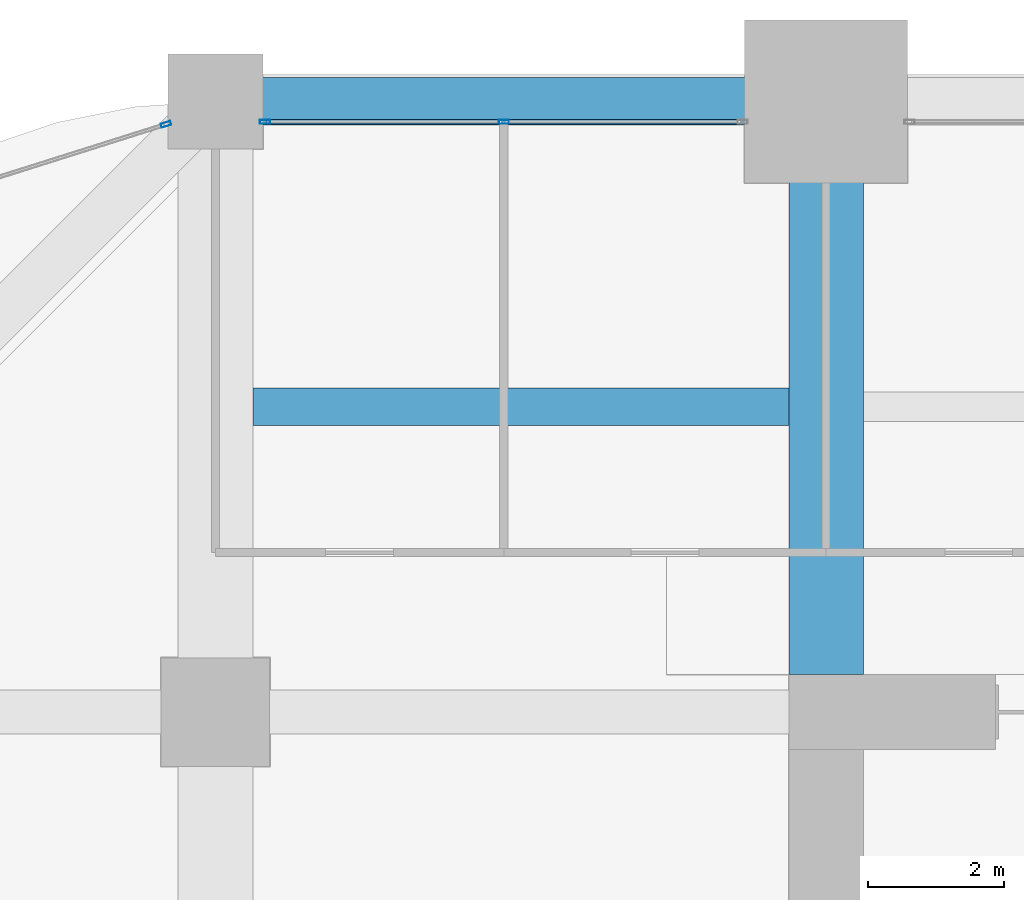
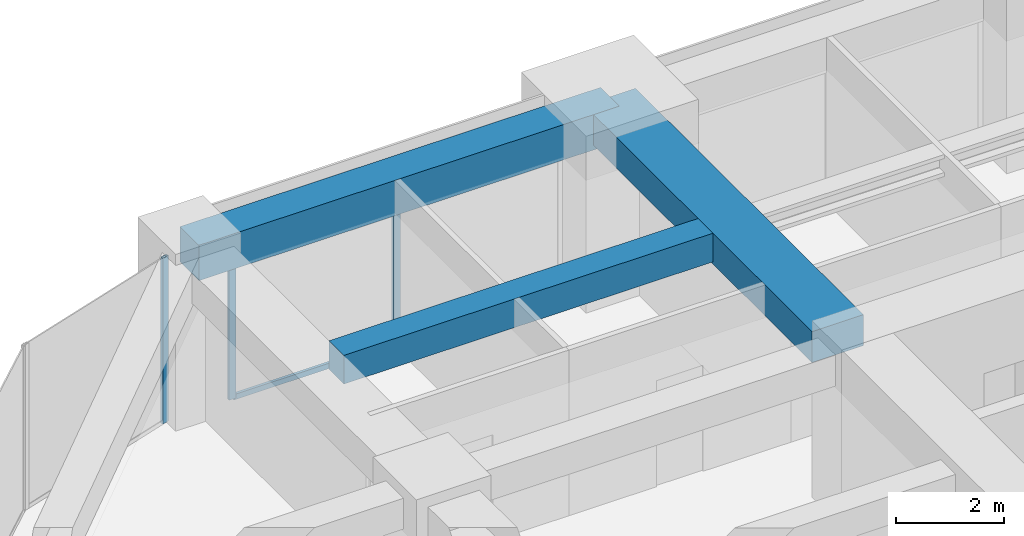
# One storey, part 23 of 34: 4 members, 3 beams, 2 elements without a shape of their own.
"""IFC4 building model written with IfcOpenShell, lengths in metres."""

from ifc_helpers import new_model, si_unit, direction, frame, origin, origin_2d, place, context, subcontext, project, spatial, rectangle, hollow_rectangle, extrude, material, material_profile, profile_set, type_object, element, aggregate, save


model = new_model("IFC4")

# Units and contexts
model_context = context("Model", 3, precision=1e-05, world=origin(), true_north=direction((0.0, 1.0)))
body_context = subcontext(model_context, "Body", "Model", "MODEL_VIEW")
ifc_project = project(units=[si_unit("LENGTHUNIT", "METRE"), si_unit("AREAUNIT", "SQUARE_METRE"), si_unit("VOLUMEUNIT", "CUBIC_METRE"), si_unit("PLANEANGLEUNIT", "RADIAN"), si_unit("MASSUNIT", "GRAM", prefix="KILO")], contexts=[model_context])

# Site, building, storey
site_placement = place(None, origin())
site = spatial("IfcSite", under=ifc_project, at=site_placement, CompositionType="ELEMENT")
building_placement = place(site_placement, origin())
building = spatial("IfcBuilding", under=site, at=building_placement, Name="Zorevar Civic Tower", CompositionType="ELEMENT")
storey_placement = place(building_placement, frame((0.0, 0.0, 170.199951171875)))
storey = spatial("IfcBuildingStorey", under=building, at=storey_placement, Name="L41", CompositionType="ELEMENT", Elevation=170.199951171875)

# Beams
ifc_material_1 = material(Name="Concrete C50/60", Category="concrete")
ifc_material_profile_1 = material_profile(ifc_material_1, rectangle(XDim=1.10009765625, YDim=0.699951171875, at=origin_2d()), Name="RC 1100x700")
ifc_profile_set_1 = profile_set([ifc_material_profile_1], Name="Concrete C50/60")
beam_type_1 = type_object("IfcBeamType", Name="Beam RC 1100x700", PredefinedType="BEAM", material=ifc_profile_set_1)
beam_1_placement = place(storey_placement, frame((18.0, 36.550048828125, 3.400146484375), z_axis=(0.0, 1.0, 0.0), x_axis=(-1.0, 0.0, 0.0)))
element("IfcBeam", 1, at=beam_1_placement, inside=storey, type_object=beam_type_1, Name="Girder L42", PredefinedType="BEAM", context=body_context, shape_type="SweptSolid", body=[
    extrude(rectangle(XDim=1.10009765625, YDim=0.699951171875, at=origin_2d()), origin(), (0.0, 0.0, 1.0), 8.449951171875),
])
ifc_material_2 = material(Name="Concrete C50/60", Category="concrete")
ifc_material_profile_2 = material_profile(ifc_material_2, rectangle(XDim=0.550048828125, YDim=0.64990234375, at=origin_2d()), Name="RC 550x650")
ifc_profile_set_2 = profile_set([ifc_material_profile_2], Name="Concrete C50/60")
beam_type_2 = type_object("IfcBeamType", Name="Beam RC 550x650", PredefinedType="BEAM", material=ifc_profile_set_2)
beam_2_placement = place(storey_placement, frame((9.550048828125, 40.5, 3.425048828125), z_axis=(1.0, 0.0, 0.0), x_axis=(0.0, 1.0, 0.0)))
element("IfcBeam", 2, at=beam_2_placement, inside=storey, type_object=beam_type_2, Name="Secondary beam L42", PredefinedType="BEAM", context=body_context, shape_type="SweptSolid", body=[
    extrude(rectangle(XDim=0.550048828125, YDim=0.64990234375, at=origin_2d()), origin(), (0.0, 0.0, 1.0), 7.89990234375),
])

# Curtain wall, members
ifc_material_3 = material(Name="Dark grey solar-control glass in black aluminium frame", Category="aluminium")
curtain_wall_type = type_object("IfcCurtainWallType", Name="Curtain wall CW4 high zone", PredefinedType="NOTDEFINED", material=ifc_material_3)
curtain_wall_1_placement = place(storey_placement, origin())
curtain_wall_1 = element("IfcCurtainWall", 3, at=curtain_wall_1_placement, inside=storey, type_object=curtain_wall_type, Name="CW4 L41", PredefinedType="NOTDEFINED")
ifc_material_4 = material(Name="Aluminium, black anodised", Category="aluminium")
ifc_material_profile_3 = material_profile(ifc_material_4, hollow_rectangle(XDim=0.06005859375, YDim=0.14990234375, WallThickness=0.00390625, at=origin_2d()), Name="AL 150x60x4")
ifc_profile_set_3 = profile_set([ifc_material_profile_3], Name="Aluminium, black anodised")
member_type_1 = type_object("IfcMemberType", Name="CW4 mullion AL 150x60x4", PredefinedType="MULLION", material=ifc_profile_set_3)
member_1_placement = place(storey_placement, frame((9.72998046875, 44.699951171875, 0.0), z_axis=(0.0, 0.0, 1.0), x_axis=(0.0, 1.0, 0.0)))
member_1 = element("IfcMember", 4, at=member_1_placement, type_object=member_type_1, Name="CW4 mullion 1", PredefinedType="MULLION", context=body_context, shape_type="SweptSolid", body=[
    extrude(hollow_rectangle(XDim=0.06005859375, YDim=0.14990234375, WallThickness=0.00390625, at=origin_2d()), origin(), (0.0, 0.0, 1.0), 2.949951171875),
])
member_2_placement = place(storey_placement, frame((13.25, 44.699951171875, 0.06005859375), z_axis=(0.0, 0.0, 1.0), x_axis=(0.0, 1.0, 0.0)))
member_2 = element("IfcMember", 5, at=member_2_placement, type_object=member_type_1, Name="CW4 mullion 2", PredefinedType="MULLION", context=body_context, shape_type="SweptSolid", body=[
    extrude(hollow_rectangle(XDim=0.06005859375, YDim=0.14990234375, WallThickness=0.00390625, at=origin_2d()), origin(), (0.0, 0.0, 1.0), 2.889892578125),
])

# Curtain wall, member
curtain_wall_2_placement = place(storey_placement, origin())
curtain_wall_2 = element("IfcCurtainWall", 6, at=curtain_wall_2_placement, inside=storey, type_object=curtain_wall_type, Name="CW4 L41", PredefinedType="NOTDEFINED")
member_3_placement = place(storey_placement, frame((8.271484375, 44.66259765625, 0.0), z_axis=(0.0, 0.0, 1.0), x_axis=(0.301108296077, -0.953589950678, 0.0)))
member_3 = element("IfcMember", 7, at=member_3_placement, type_object=member_type_1, Name="CW4 mullion 1", PredefinedType="MULLION", context=body_context, shape_type="SweptSolid", body=[
    extrude(hollow_rectangle(XDim=0.06005859375, YDim=0.14990234375, WallThickness=0.00390625, at=origin_2d()), origin(), (0.0, 0.0, 1.0), 3.75),
])
aggregate(curtain_wall_2, [member_3])

# Member
ifc_material_5 = material(Name="Aluminium, black anodised", Category="aluminium")
ifc_material_profile_4 = material_profile(ifc_material_5, hollow_rectangle(XDim=0.06005859375, YDim=0.1201171875, WallThickness=0.0029296875, at=origin_2d()), Name="AL 120x60x3")
ifc_profile_set_4 = profile_set([ifc_material_profile_4], Name="Aluminium, black anodised")
member_type_2 = type_object("IfcMemberType", Name="CW4 transom AL 120x60x3", PredefinedType="USERDEFINED", material=ifc_profile_set_4)
member_4_placement = place(storey_placement, frame((9.760009765625, 44.699951171875, 0.030029296875), z_axis=(1.0, 0.0, 0.0), x_axis=(0.0, 1.0, 0.0)))
member_4 = element("IfcMember", 8, at=member_4_placement, type_object=member_type_2, Name="CW4 sill transom", ObjectType="TRANSOM", PredefinedType="USERDEFINED", context=body_context, shape_type="SweptSolid", body=[
    extrude(hollow_rectangle(XDim=0.06005859375, YDim=0.1201171875, WallThickness=0.0029296875, at=origin_2d()), origin(), (0.0, 0.0, 1.0), 6.97998046875),
])

aggregate(curtain_wall_1, [member_1, member_2, member_4])

# Beam
ifc_material_6 = material(Name="Concrete C50/60", Category="concrete")
ifc_material_profile_5 = material_profile(ifc_material_6, rectangle(XDim=0.699951171875, YDim=0.800048828125, at=origin_2d()), Name="RC 700x800")
ifc_profile_set_5 = profile_set([ifc_material_profile_5], Name="Concrete C50/60")
beam_type_3 = type_object("IfcBeamType", Name="Edge beam RC 700x800", PredefinedType="SPANDREL", material=ifc_profile_set_5)
beam_3_placement = place(storey_placement, frame((9.0, 45.0, 3.35009765625), z_axis=(1.0, 0.0, 0.0), x_axis=(0.0, 1.0, 0.0)))
element("IfcBeam", 9, at=beam_3_placement, inside=storey, type_object=beam_type_3, Name="Edge beam L42", PredefinedType="SPANDREL", context=body_context, shape_type="SweptSolid", body=[
    extrude(rectangle(XDim=0.699951171875, YDim=0.800048828125, at=origin_2d()), origin(), (0.0, 0.0, 1.0), 9.0),
])

save(model, "model.ifc")
